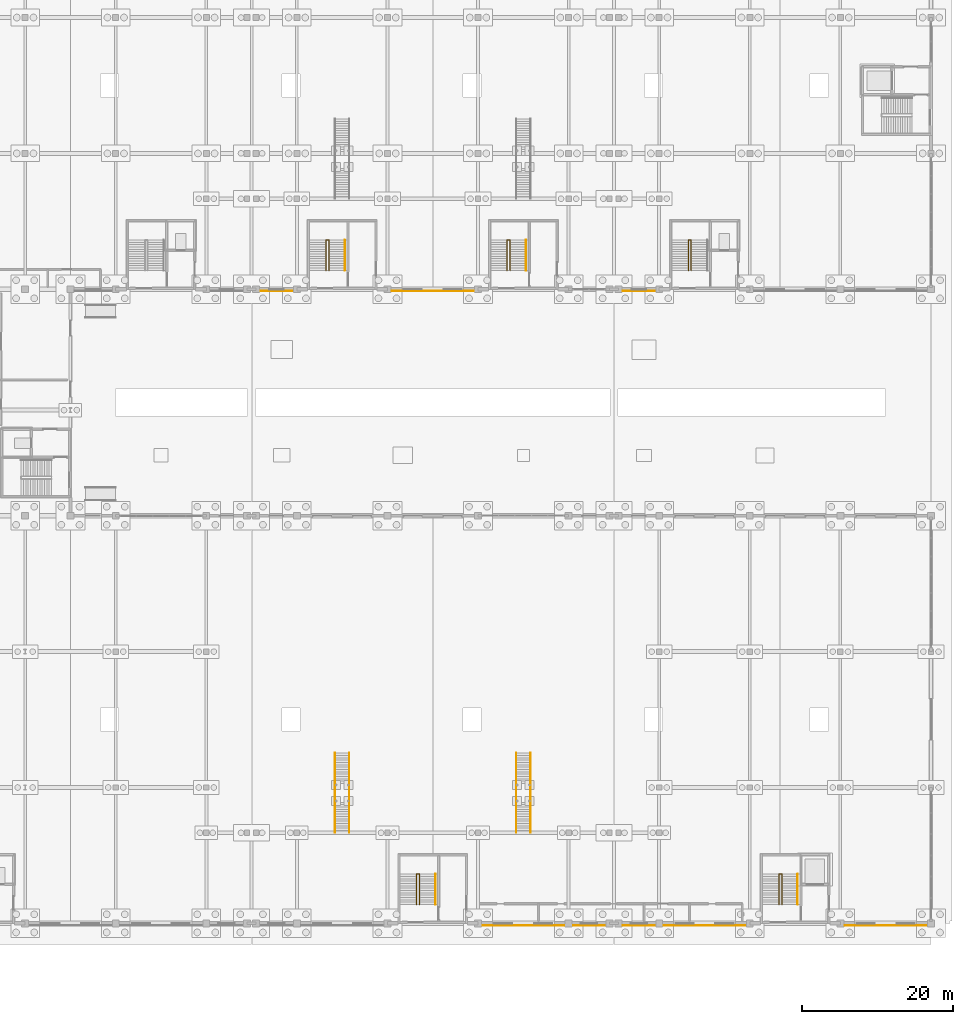
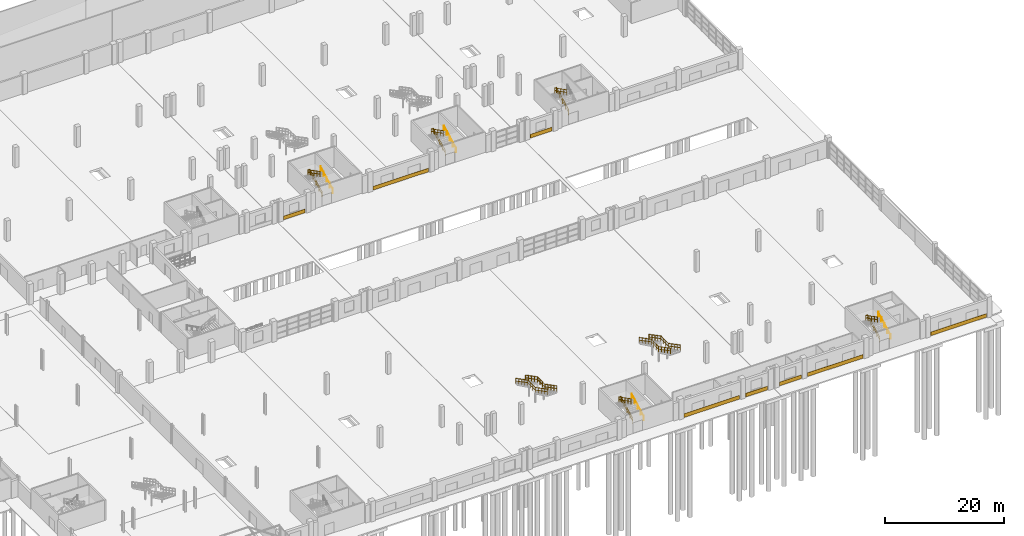
# One storey, part 74 of 77: 13 railings, 8 coverings.
"""IFC4 building model written with IfcOpenShell, lengths in metres."""

from ifc_helpers import new_model, si_unit, direction, frame, origin, origin_2d, place, context, subcontext, project, spatial, rectangle, circle, extrude, material, layer, layer_set, type_object, element, save


model = new_model("IFC4")

# Units and contexts
model_context = context("Model", 3, precision=1e-05, world=origin(), true_north=direction((0.0, 1.0)))
body_context = subcontext(model_context, "Body", "Model", "MODEL_VIEW")
ifc_project = project(units=[si_unit("LENGTHUNIT", "METRE"), si_unit("AREAUNIT", "SQUARE_METRE"), si_unit("VOLUMEUNIT", "CUBIC_METRE"), si_unit("PLANEANGLEUNIT", "RADIAN"), si_unit("MASSUNIT", "GRAM", prefix="KILO")], contexts=[model_context])

# Site, building, storey
site_placement = place(None, origin())
site = spatial("IfcSite", under=ifc_project, at=site_placement, CompositionType="ELEMENT")
building_placement = place(site_placement, origin())
building = spatial("IfcBuilding", under=site, at=building_placement, Name="Zilviju Railside Exhibition Hall", CompositionType="ELEMENT")
storey_placement = place(building_placement, origin())
storey = spatial("IfcBuildingStorey", under=building, at=storey_placement, Name="L01", CompositionType="ELEMENT", Elevation=0.0)

# Coverings
ifc_material_1 = material(Name="Rusticated Baltic granite plinth ashlar cladding", Category="masonry")
ifc_layer = layer(ifc_material_1, 0.050048828125)
ifc_layer_set = layer_set([ifc_layer], Name="Rusticated Baltic granite plinth ashlar cladding")
covering_type = type_object("IfcCoveringType", Name="COV-CLAD-GRANITE", PredefinedType="CLADDING", material=ifc_layer_set)
covering_1_placement = place(storey_placement, frame((162.0, -0.260009765625, 0.074951171875), z_axis=(0.0, 0.0, 1.0), x_axis=(-1.0, 0.0, 0.0)))
element("IfcCovering", 1, at=covering_1_placement, inside=storey, type_object=covering_type, Name="Jugendstils Facade Cladding Band L01 007", PredefinedType="CLADDING", context=body_context, shape_type="SweptSolid", body=[
    extrude(rectangle(XDim=10.800048828125, YDim=0.050048828125, at=origin_2d()), origin(), (0.0, 0.0, 1.0), 0.75),
])
for number, where, z_axis, x_axis, name in (
    (2, (170.699951171875, -0.260009765625, 0.074951171875), (0.0, 0.0, 1.0), (-1.0, 0.0, 0.0), "Jugendstils Facade Cladding Band L01 008"),
    (3, (177.300048828125, -0.260009765625, 0.074951171875), (0.0, 0.0, 1.0), (-1.0, 0.0, 0.0), "Jugendstils Facade Cladding Band L01 009"),
):
    element("IfcCovering", number, at=place(storey_placement, frame(where, z_axis=z_axis, x_axis=x_axis)), inside=storey, type_object=covering_type, Name=name, PredefinedType="CLADDING", context=body_context, shape_type="SweptSolid", body=[
        extrude(rectangle(XDim=4.199951171875, YDim=0.050048828125, at=origin_2d()), origin(), (0.0, 0.0, 1.0), 0.75),
    ])
for number, where, z_axis, x_axis, name in (
    (4, (186.0, -0.260009765625, 0.074951171875), (0.0, 0.0, 1.0), (-1.0, 0.0, 0.0), "Jugendstils Facade Cladding Band L01 010"),
    (5, (210.0, -0.260009765625, 0.074951171875), (0.0, 0.0, 1.0), (-1.0, 0.0, 0.0), "Jugendstils Facade Cladding Band L01 011"),
):
    element("IfcCovering", number, at=place(storey_placement, frame(where, z_axis=z_axis, x_axis=x_axis)), inside=storey, type_object=covering_type, Name=name, PredefinedType="CLADDING", context=body_context, shape_type="SweptSolid", body=[
        extrude(rectangle(XDim=10.800048828125, YDim=0.050048828125, at=origin_2d()), origin(), (0.0, 0.0, 1.0), 0.75),
    ])
covering_2_placement = place(storey_placement, frame((129.300048828125, 83.7548828125, 0.074951171875), z_axis=(0.0, 0.0, 1.0), x_axis=(-1.0, 0.0, 0.0)))
element("IfcCovering", 6, at=covering_2_placement, inside=storey, type_object=covering_type, Name="Jugendstils Facade Cladding Band L01 014", PredefinedType="CLADDING", context=body_context, shape_type="SweptSolid", body=[
    extrude(rectangle(XDim=4.199951171875, YDim=0.050048828125, at=origin_2d()), origin(), (0.0, 0.0, 1.0), 0.75),
])
covering_3_placement = place(storey_placement, frame((150.0, 83.7548828125, 0.074951171875), z_axis=(0.0, 0.0, 1.0), x_axis=(-1.0, 0.0, 0.0)))
element("IfcCovering", 7, at=covering_3_placement, inside=storey, type_object=covering_type, Name="Jugendstils Facade Cladding Band L01 015", PredefinedType="CLADDING", context=body_context, shape_type="SweptSolid", body=[
    extrude(rectangle(XDim=10.800048828125, YDim=0.050048828125, at=origin_2d()), origin(), (0.0, 0.0, 1.0), 0.75),
])
covering_4_placement = place(storey_placement, frame((177.300048828125, 83.7548828125, 0.074951171875), z_axis=(0.0, 0.0, 1.0), x_axis=(-1.0, 0.0, 0.0)))
element("IfcCovering", 8, at=covering_4_placement, inside=storey, type_object=covering_type, Name="Jugendstils Facade Cladding Band L01 016", PredefinedType="CLADDING", context=body_context, shape_type="SweptSolid", body=[
    extrude(rectangle(XDim=4.199951171875, YDim=0.050048828125, at=origin_2d()), origin(), (0.0, 0.0, 1.0), 0.75),
])

# Railings
ifc_material_2 = material(Name="Ornamental wrought-iron Jugendstils gallery balustrade", Category="steel")
railing_type_1 = type_object("IfcRailingType", Name="RL-BALUSTRADE-1120", PredefinedType="BALUSTRADE", material=ifc_material_2)
railing_1_placement = place(storey_placement, frame((137.06005859375, 22.56005859375, 0.0)))
element("IfcRailing", 9, at=railing_1_placement, inside=storey, type_object=railing_type_1, Name="Feature Stair ST-20 Ornamental Balustrade L", PredefinedType="BALUSTRADE", context=body_context, shape_type="SweptSolid", body=[
    extrude(circle(Radius=0.02392578125, at=origin_2d()), frame((0.0, -0.019287109375, 1.106201171875), z_axis=(0.0, -0.88681272381, 0.462128978628), x_axis=(1.0, 0.0, 0.0)), (0.0, 0.0, 1.0), 4.500732421875),
    extrude(circle(Radius=0.02392578125, at=origin_2d()), frame((0.0, -0.019287109375, 0.570068359375), z_axis=(0.0, -0.88681272381, 0.462128978628), x_axis=(1.0, 0.0, 0.0)), (0.0, 0.0, 1.0), 4.500732421875),
    extrude(circle(Radius=0.02392578125, at=origin_2d()), frame((0.0, -4.0517578125, 3.1962890625), z_axis=(0.0, -1.0, 0.0), x_axis=(1.0, 0.0, 0.0)), (0.0, 0.0, 1.0), 2.456298828125),
    extrude(circle(Radius=0.02392578125, at=origin_2d()), frame((0.0, -4.0517578125, 2.66015625), z_axis=(0.0, -1.0, 0.0), x_axis=(1.0, 0.0, 0.0)), (0.0, 0.0, 1.0), 2.456298828125),
    extrude(circle(Radius=0.02392578125, at=origin_2d()), frame((0.0, -6.54931640625, 3.206298828125), z_axis=(0.0, -0.886834740388, 0.462086726969), x_axis=(1.0, 0.0, 0.0)), (0.0, 0.0, 1.0), 4.500732421875),
    extrude(circle(Radius=0.02392578125, at=origin_2d()), frame((0.0, -6.54931640625, 2.670166015625), z_axis=(0.0, -0.886834740388, 0.462086726969), x_axis=(1.0, 0.0, 0.0)), (0.0, 0.0, 1.0), 4.500732421875),
    extrude(circle(Radius=0.02099609375, at=origin_2d()), origin(), (0.0, 0.0, 1.0), 1.1201171875),
    extrude(circle(Radius=0.02099609375, at=origin_2d()), frame((0.0, -1.007568359375, 0.52490234375)), (0.0, 0.0, 1.0), 1.1201171875),
    extrude(circle(Radius=0.02099609375, at=origin_2d()), frame((0.0, -2.01513671875, 1.050048828125)), (0.0, 0.0, 1.0), 1.1201171875),
    extrude(circle(Radius=0.02099609375, at=origin_2d()), frame((0.0, -3.0224609375, 1.5751953125)), (0.0, 0.0, 1.0), 1.1201171875),
    extrude(circle(Radius=0.02099609375, at=origin_2d()), frame((0.0, -4.030029296875, 2.10009765625)), (0.0, 0.0, 1.0), 1.1201171875),
    extrude(circle(Radius=0.02099609375, at=origin_2d()), frame((0.0, -4.86328125, 2.10009765625)), (0.0, 0.0, 1.0), 1.1201171875),
    extrude(circle(Radius=0.02099609375, at=origin_2d()), frame((0.0, -5.69677734375, 2.10009765625)), (0.0, 0.0, 1.0), 1.1201171875),
    extrude(circle(Radius=0.02099609375, at=origin_2d()), frame((0.0, -6.530029296875, 2.10009765625)), (0.0, 0.0, 1.0), 1.1201171875),
    extrude(circle(Radius=0.02099609375, at=origin_2d()), frame((0.0, -7.53759765625, 2.625)), (0.0, 0.0, 1.0), 1.1201171875),
    extrude(circle(Radius=0.02099609375, at=origin_2d()), frame((0.0, -8.544921875, 3.14990234375)), (0.0, 0.0, 1.0), 1.1201171875),
    extrude(circle(Radius=0.02099609375, at=origin_2d()), frame((0.0, -9.552490234375, 3.675048828125)), (0.0, 0.0, 1.0), 1.1201171875),
    extrude(circle(Radius=0.02099609375, at=origin_2d()), frame((0.0, -10.56005859375, 4.199951171875)), (0.0, 0.0, 1.0), 1.1201171875),
])
railing_2_placement = place(storey_placement, frame((138.93994140625, 22.56005859375, 0.0)))
element("IfcRailing", 10, at=railing_2_placement, inside=storey, type_object=railing_type_1, Name="Feature Stair ST-20 Ornamental Balustrade R", PredefinedType="BALUSTRADE", context=body_context, shape_type="SweptSolid", body=[
    extrude(circle(Radius=0.02392578125, at=origin_2d()), frame((0.0, -0.019287109375, 1.106201171875), z_axis=(0.0, -0.88681272381, 0.462128978628), x_axis=(1.0, 0.0, 0.0)), (0.0, 0.0, 1.0), 4.500732421875),
    extrude(circle(Radius=0.02392578125, at=origin_2d()), frame((0.0, -0.019287109375, 0.570068359375), z_axis=(0.0, -0.88681272381, 0.462128978628), x_axis=(1.0, 0.0, 0.0)), (0.0, 0.0, 1.0), 4.500732421875),
    extrude(circle(Radius=0.02392578125, at=origin_2d()), frame((0.0, -4.0517578125, 3.1962890625), z_axis=(0.0, -1.0, 0.0), x_axis=(1.0, 0.0, 0.0)), (0.0, 0.0, 1.0), 2.456298828125),
    extrude(circle(Radius=0.02392578125, at=origin_2d()), frame((0.0, -4.0517578125, 2.66015625), z_axis=(0.0, -1.0, 0.0), x_axis=(1.0, 0.0, 0.0)), (0.0, 0.0, 1.0), 2.456298828125),
    extrude(circle(Radius=0.02392578125, at=origin_2d()), frame((0.0, -6.54931640625, 3.206298828125), z_axis=(0.0, -0.886834740388, 0.462086726969), x_axis=(1.0, 0.0, 0.0)), (0.0, 0.0, 1.0), 4.500732421875),
    extrude(circle(Radius=0.02392578125, at=origin_2d()), frame((0.0, -6.54931640625, 2.670166015625), z_axis=(0.0, -0.886834740388, 0.462086726969), x_axis=(1.0, 0.0, 0.0)), (0.0, 0.0, 1.0), 4.500732421875),
    extrude(circle(Radius=0.02099609375, at=origin_2d()), origin(), (0.0, 0.0, 1.0), 1.1201171875),
    extrude(circle(Radius=0.02099609375, at=origin_2d()), frame((0.0, -1.007568359375, 0.52490234375)), (0.0, 0.0, 1.0), 1.1201171875),
    extrude(circle(Radius=0.02099609375, at=origin_2d()), frame((0.0, -2.01513671875, 1.050048828125)), (0.0, 0.0, 1.0), 1.1201171875),
    extrude(circle(Radius=0.02099609375, at=origin_2d()), frame((0.0, -3.0224609375, 1.5751953125)), (0.0, 0.0, 1.0), 1.1201171875),
    extrude(circle(Radius=0.02099609375, at=origin_2d()), frame((0.0, -4.030029296875, 2.10009765625)), (0.0, 0.0, 1.0), 1.1201171875),
    extrude(circle(Radius=0.02099609375, at=origin_2d()), frame((0.0, -4.86328125, 2.10009765625)), (0.0, 0.0, 1.0), 1.1201171875),
    extrude(circle(Radius=0.02099609375, at=origin_2d()), frame((0.0, -5.69677734375, 2.10009765625)), (0.0, 0.0, 1.0), 1.1201171875),
    extrude(circle(Radius=0.02099609375, at=origin_2d()), frame((0.0, -6.530029296875, 2.10009765625)), (0.0, 0.0, 1.0), 1.1201171875),
    extrude(circle(Radius=0.02099609375, at=origin_2d()), frame((0.0, -7.53759765625, 2.625)), (0.0, 0.0, 1.0), 1.1201171875),
    extrude(circle(Radius=0.02099609375, at=origin_2d()), frame((0.0, -8.544921875, 3.14990234375)), (0.0, 0.0, 1.0), 1.1201171875),
    extrude(circle(Radius=0.02099609375, at=origin_2d()), frame((0.0, -9.552490234375, 3.675048828125)), (0.0, 0.0, 1.0), 1.1201171875),
    extrude(circle(Radius=0.02099609375, at=origin_2d()), frame((0.0, -10.56005859375, 4.199951171875)), (0.0, 0.0, 1.0), 1.1201171875),
])
railing_3_placement = place(storey_placement, frame((161.06005859375, 22.56005859375, 0.0)))
element("IfcRailing", 11, at=railing_3_placement, inside=storey, type_object=railing_type_1, Name="Feature Stair ST-21 Ornamental Balustrade L", PredefinedType="BALUSTRADE", context=body_context, shape_type="SweptSolid", body=[
    extrude(circle(Radius=0.02392578125, at=origin_2d()), frame((0.0, -0.019287109375, 1.106201171875), z_axis=(0.0, -0.88681272381, 0.462128978628), x_axis=(1.0, 0.0, 0.0)), (0.0, 0.0, 1.0), 4.500732421875),
    extrude(circle(Radius=0.02392578125, at=origin_2d()), frame((0.0, -0.019287109375, 0.570068359375), z_axis=(0.0, -0.88681272381, 0.462128978628), x_axis=(1.0, 0.0, 0.0)), (0.0, 0.0, 1.0), 4.500732421875),
    extrude(circle(Radius=0.02392578125, at=origin_2d()), frame((0.0, -4.0517578125, 3.1962890625), z_axis=(0.0, -1.0, 0.0), x_axis=(1.0, 0.0, 0.0)), (0.0, 0.0, 1.0), 2.456298828125),
    extrude(circle(Radius=0.02392578125, at=origin_2d()), frame((0.0, -4.0517578125, 2.66015625), z_axis=(0.0, -1.0, 0.0), x_axis=(1.0, 0.0, 0.0)), (0.0, 0.0, 1.0), 2.456298828125),
    extrude(circle(Radius=0.02392578125, at=origin_2d()), frame((0.0, -6.54931640625, 3.206298828125), z_axis=(0.0, -0.886834740388, 0.462086726969), x_axis=(1.0, 0.0, 0.0)), (0.0, 0.0, 1.0), 4.500732421875),
    extrude(circle(Radius=0.02392578125, at=origin_2d()), frame((0.0, -6.54931640625, 2.670166015625), z_axis=(0.0, -0.886834740388, 0.462086726969), x_axis=(1.0, 0.0, 0.0)), (0.0, 0.0, 1.0), 4.500732421875),
    extrude(circle(Radius=0.02099609375, at=origin_2d()), origin(), (0.0, 0.0, 1.0), 1.1201171875),
    extrude(circle(Radius=0.02099609375, at=origin_2d()), frame((0.0, -1.007568359375, 0.52490234375)), (0.0, 0.0, 1.0), 1.1201171875),
    extrude(circle(Radius=0.02099609375, at=origin_2d()), frame((0.0, -2.01513671875, 1.050048828125)), (0.0, 0.0, 1.0), 1.1201171875),
    extrude(circle(Radius=0.02099609375, at=origin_2d()), frame((0.0, -3.0224609375, 1.5751953125)), (0.0, 0.0, 1.0), 1.1201171875),
    extrude(circle(Radius=0.02099609375, at=origin_2d()), frame((0.0, -4.030029296875, 2.10009765625)), (0.0, 0.0, 1.0), 1.1201171875),
    extrude(circle(Radius=0.02099609375, at=origin_2d()), frame((0.0, -4.86328125, 2.10009765625)), (0.0, 0.0, 1.0), 1.1201171875),
    extrude(circle(Radius=0.02099609375, at=origin_2d()), frame((0.0, -5.69677734375, 2.10009765625)), (0.0, 0.0, 1.0), 1.1201171875),
    extrude(circle(Radius=0.02099609375, at=origin_2d()), frame((0.0, -6.530029296875, 2.10009765625)), (0.0, 0.0, 1.0), 1.1201171875),
    extrude(circle(Radius=0.02099609375, at=origin_2d()), frame((0.0, -7.53759765625, 2.625)), (0.0, 0.0, 1.0), 1.1201171875),
    extrude(circle(Radius=0.02099609375, at=origin_2d()), frame((0.0, -8.544921875, 3.14990234375)), (0.0, 0.0, 1.0), 1.1201171875),
    extrude(circle(Radius=0.02099609375, at=origin_2d()), frame((0.0, -9.552490234375, 3.675048828125)), (0.0, 0.0, 1.0), 1.1201171875),
    extrude(circle(Radius=0.02099609375, at=origin_2d()), frame((0.0, -10.56005859375, 4.199951171875)), (0.0, 0.0, 1.0), 1.1201171875),
])
railing_4_placement = place(storey_placement, frame((162.93994140625, 22.56005859375, 0.0)))
element("IfcRailing", 12, at=railing_4_placement, inside=storey, type_object=railing_type_1, Name="Feature Stair ST-21 Ornamental Balustrade R", PredefinedType="BALUSTRADE", context=body_context, shape_type="SweptSolid", body=[
    extrude(circle(Radius=0.02392578125, at=origin_2d()), frame((0.0, -0.019287109375, 1.106201171875), z_axis=(0.0, -0.88681272381, 0.462128978628), x_axis=(1.0, 0.0, 0.0)), (0.0, 0.0, 1.0), 4.500732421875),
    extrude(circle(Radius=0.02392578125, at=origin_2d()), frame((0.0, -0.019287109375, 0.570068359375), z_axis=(0.0, -0.88681272381, 0.462128978628), x_axis=(1.0, 0.0, 0.0)), (0.0, 0.0, 1.0), 4.500732421875),
    extrude(circle(Radius=0.02392578125, at=origin_2d()), frame((0.0, -4.0517578125, 3.1962890625), z_axis=(0.0, -1.0, 0.0), x_axis=(1.0, 0.0, 0.0)), (0.0, 0.0, 1.0), 2.456298828125),
    extrude(circle(Radius=0.02392578125, at=origin_2d()), frame((0.0, -4.0517578125, 2.66015625), z_axis=(0.0, -1.0, 0.0), x_axis=(1.0, 0.0, 0.0)), (0.0, 0.0, 1.0), 2.456298828125),
    extrude(circle(Radius=0.02392578125, at=origin_2d()), frame((0.0, -6.54931640625, 3.206298828125), z_axis=(0.0, -0.886834740388, 0.462086726969), x_axis=(1.0, 0.0, 0.0)), (0.0, 0.0, 1.0), 4.500732421875),
    extrude(circle(Radius=0.02392578125, at=origin_2d()), frame((0.0, -6.54931640625, 2.670166015625), z_axis=(0.0, -0.886834740388, 0.462086726969), x_axis=(1.0, 0.0, 0.0)), (0.0, 0.0, 1.0), 4.500732421875),
    extrude(circle(Radius=0.02099609375, at=origin_2d()), origin(), (0.0, 0.0, 1.0), 1.1201171875),
    extrude(circle(Radius=0.02099609375, at=origin_2d()), frame((0.0, -1.007568359375, 0.52490234375)), (0.0, 0.0, 1.0), 1.1201171875),
    extrude(circle(Radius=0.02099609375, at=origin_2d()), frame((0.0, -2.01513671875, 1.050048828125)), (0.0, 0.0, 1.0), 1.1201171875),
    extrude(circle(Radius=0.02099609375, at=origin_2d()), frame((0.0, -3.0224609375, 1.5751953125)), (0.0, 0.0, 1.0), 1.1201171875),
    extrude(circle(Radius=0.02099609375, at=origin_2d()), frame((0.0, -4.030029296875, 2.10009765625)), (0.0, 0.0, 1.0), 1.1201171875),
    extrude(circle(Radius=0.02099609375, at=origin_2d()), frame((0.0, -4.86328125, 2.10009765625)), (0.0, 0.0, 1.0), 1.1201171875),
    extrude(circle(Radius=0.02099609375, at=origin_2d()), frame((0.0, -5.69677734375, 2.10009765625)), (0.0, 0.0, 1.0), 1.1201171875),
    extrude(circle(Radius=0.02099609375, at=origin_2d()), frame((0.0, -6.530029296875, 2.10009765625)), (0.0, 0.0, 1.0), 1.1201171875),
    extrude(circle(Radius=0.02099609375, at=origin_2d()), frame((0.0, -7.53759765625, 2.625)), (0.0, 0.0, 1.0), 1.1201171875),
    extrude(circle(Radius=0.02099609375, at=origin_2d()), frame((0.0, -8.544921875, 3.14990234375)), (0.0, 0.0, 1.0), 1.1201171875),
    extrude(circle(Radius=0.02099609375, at=origin_2d()), frame((0.0, -9.552490234375, 3.675048828125)), (0.0, 0.0, 1.0), 1.1201171875),
    extrude(circle(Radius=0.02099609375, at=origin_2d()), frame((0.0, -10.56005859375, 4.199951171875)), (0.0, 0.0, 1.0), 1.1201171875),
])
ifc_material_3 = material(Name="Brushed bronze tubular stair handrail", Category="steel")
railing_type_2 = type_object("IfcRailingType", Name="RL-HANDRAIL-920", PredefinedType="HANDRAIL", material=ifc_material_3)
for number, where, name in (
    (13, (150.35009765625, 2.5, 0.0), "Core C02 South Hall Mid Stair Wall Handrail L01"),
    (14, (198.340087890625, 2.5, 0.0), "Core C03 South Hall East Stair Wall Handrail L01"),
    (15, (138.35009765625, 86.5, 0.0), "Core C05 North Hall Court MidW Stair Wall Handrail L01"),
    (16, (162.340087890625, 86.5, 0.0), "Core C06 North Hall Court MidE Stair Wall Handrail L01"),
):
    element("IfcRailing", number, at=place(storey_placement, frame(where)), inside=storey, type_object=railing_type_2, Name=name, PredefinedType="HANDRAIL", context=body_context, shape_type="SweptSolid", body=[
        extrude(circle(Radius=0.02392578125, at=origin_2d()), frame((0.0, 0.019287109375, 0.906005859375), z_axis=(0.0, 0.88681272381, 0.462128978628), x_axis=(-1.0, 0.0, 0.0)), (0.0, 0.0, 1.0), 4.500732421875),
        extrude(circle(Radius=0.02099609375, at=origin_2d()), origin(), (0.0, 0.0, 1.0), 0.919921875),
        extrude(circle(Radius=0.02099609375, at=origin_2d()), frame((0.0, 1.007568359375, 0.52490234375)), (0.0, 0.0, 1.0), 0.919921875),
        extrude(circle(Radius=0.02099609375, at=origin_2d()), frame((0.0, 2.01513671875, 1.050048828125)), (0.0, 0.0, 1.0), 0.919921875),
        extrude(circle(Radius=0.02099609375, at=origin_2d()), frame((0.0, 3.0224609375, 1.5751953125)), (0.0, 0.0, 1.0), 0.919921875),
        extrude(circle(Radius=0.02099609375, at=origin_2d()), frame((0.0, 4.030029296875, 2.10009765625)), (0.0, 0.0, 1.0), 0.919921875),
    ])
ifc_material_4 = material(Name="Wrought-iron and laminated-glass atrium guardrail", Category="glass")
railing_type_3 = type_object("IfcRailingType", Name="RL-INT-GUARD-1120", PredefinedType="GUARDRAIL", material=ifc_material_4)
railing_5_placement = place(storey_placement, frame((148.239990234375, 2.5, 0.0)))
element("IfcRailing", 17, at=railing_5_placement, inside=storey, type_object=railing_type_3, Name="Core C02 South Hall Mid Stair Well Guardrail L01", PredefinedType="GUARDRAIL", context=body_context, shape_type="SweptSolid", body=[
    extrude(circle(Radius=0.02392578125, at=origin_2d()), frame((0.0, 0.019287109375, 1.106201171875), z_axis=(0.0, 0.88681272381, 0.462128978628), x_axis=(-1.0, 0.0, 0.0)), (0.0, 0.0, 1.0), 4.500732421875),
    extrude(circle(Radius=0.02392578125, at=origin_2d()), frame((0.0, 0.019287109375, 0.570068359375), z_axis=(0.0, 0.88681272381, 0.462128978628), x_axis=(-1.0, 0.0, 0.0)), (0.0, 0.0, 1.0), 4.500732421875),
    extrude(circle(Radius=0.02392578125, at=origin_2d()), frame((-0.021728515625, 4.030029296875, 3.1962890625), z_axis=(-1.0, 0.0, 0.0), x_axis=(0.0, -1.0, 0.0)), (0.0, 0.0, 1.0), 0.336181640625),
    extrude(circle(Radius=0.02392578125, at=origin_2d()), frame((-0.021728515625, 4.030029296875, 2.66015625), z_axis=(-1.0, 0.0, 0.0), x_axis=(0.0, -1.0, 0.0)), (0.0, 0.0, 1.0), 0.336181640625),
    extrude(circle(Radius=0.02392578125, at=origin_2d()), frame((-0.3798828125, 4.0107421875, 3.206298828125), z_axis=(0.0, -0.886834740388, 0.462086726969), x_axis=(1.0, 0.0, 0.0)), (0.0, 0.0, 1.0), 4.500732421875),
    extrude(circle(Radius=0.02392578125, at=origin_2d()), frame((-0.3798828125, 4.0107421875, 2.670166015625), z_axis=(0.0, -0.886834740388, 0.462086726969), x_axis=(1.0, 0.0, 0.0)), (0.0, 0.0, 1.0), 4.500732421875),
    extrude(circle(Radius=0.02099609375, at=origin_2d()), origin(), (0.0, 0.0, 1.0), 1.1201171875),
    extrude(circle(Radius=0.02099609375, at=origin_2d()), frame((0.0, 1.007568359375, 0.52490234375)), (0.0, 0.0, 1.0), 1.1201171875),
    extrude(circle(Radius=0.02099609375, at=origin_2d()), frame((0.0, 2.01513671875, 1.050048828125)), (0.0, 0.0, 1.0), 1.1201171875),
    extrude(circle(Radius=0.02099609375, at=origin_2d()), frame((0.0, 3.0224609375, 1.5751953125)), (0.0, 0.0, 1.0), 1.1201171875),
    extrude(circle(Radius=0.02099609375, at=origin_2d()), frame((0.0, 4.030029296875, 2.10009765625)), (0.0, 0.0, 1.0), 1.1201171875),
    extrude(circle(Radius=0.02099609375, at=origin_2d()), frame((-0.3798828125, 4.030029296875, 2.10009765625)), (0.0, 0.0, 1.0), 1.1201171875),
    extrude(circle(Radius=0.02099609375, at=origin_2d()), frame((-0.3798828125, 3.0224609375, 2.625)), (0.0, 0.0, 1.0), 1.1201171875),
    extrude(circle(Radius=0.02099609375, at=origin_2d()), frame((-0.3798828125, 2.01513671875, 3.14990234375)), (0.0, 0.0, 1.0), 1.1201171875),
    extrude(circle(Radius=0.02099609375, at=origin_2d()), frame((-0.3798828125, 1.007568359375, 3.675048828125)), (0.0, 0.0, 1.0), 1.1201171875),
    extrude(circle(Radius=0.02099609375, at=origin_2d()), frame((-0.3798828125, 0.0, 4.199951171875)), (0.0, 0.0, 1.0), 1.1201171875),
])
railing_6_placement = place(storey_placement, frame((196.25, 2.5, 0.0)))
element("IfcRailing", 18, at=railing_6_placement, inside=storey, type_object=railing_type_3, Name="Core C03 South Hall East Stair Well Guardrail L01", PredefinedType="GUARDRAIL", context=body_context, shape_type="SweptSolid", body=[
    extrude(circle(Radius=0.02392578125, at=origin_2d()), frame((0.0, 0.019287109375, 1.106201171875), z_axis=(0.0, 0.88681272381, 0.462128978628), x_axis=(-1.0, 0.0, 0.0)), (0.0, 0.0, 1.0), 4.500732421875),
    extrude(circle(Radius=0.02392578125, at=origin_2d()), frame((0.0, 0.019287109375, 0.570068359375), z_axis=(0.0, 0.88681272381, 0.462128978628), x_axis=(-1.0, 0.0, 0.0)), (0.0, 0.0, 1.0), 4.500732421875),
    extrude(circle(Radius=0.02392578125, at=origin_2d()), frame((-0.021728515625, 4.030029296875, 3.1962890625), z_axis=(-1.0, 0.0, 0.0), x_axis=(0.0, -1.0, 0.0)), (0.0, 0.0, 1.0), 0.356201171875),
    extrude(circle(Radius=0.02392578125, at=origin_2d()), frame((-0.021728515625, 4.030029296875, 2.66015625), z_axis=(-1.0, 0.0, 0.0), x_axis=(0.0, -1.0, 0.0)), (0.0, 0.0, 1.0), 0.356201171875),
    extrude(circle(Radius=0.02392578125, at=origin_2d()), frame((-0.39990234375, 4.0107421875, 3.206298828125), z_axis=(0.0, -0.886834740388, 0.462086726969), x_axis=(1.0, 0.0, 0.0)), (0.0, 0.0, 1.0), 4.500732421875),
    extrude(circle(Radius=0.02392578125, at=origin_2d()), frame((-0.39990234375, 4.0107421875, 2.670166015625), z_axis=(0.0, -0.886834740388, 0.462086726969), x_axis=(1.0, 0.0, 0.0)), (0.0, 0.0, 1.0), 4.500732421875),
    extrude(circle(Radius=0.02099609375, at=origin_2d()), origin(), (0.0, 0.0, 1.0), 1.1201171875),
    extrude(circle(Radius=0.02099609375, at=origin_2d()), frame((0.0, 1.007568359375, 0.52490234375)), (0.0, 0.0, 1.0), 1.1201171875),
    extrude(circle(Radius=0.02099609375, at=origin_2d()), frame((0.0, 2.01513671875, 1.050048828125)), (0.0, 0.0, 1.0), 1.1201171875),
    extrude(circle(Radius=0.02099609375, at=origin_2d()), frame((0.0, 3.0224609375, 1.5751953125)), (0.0, 0.0, 1.0), 1.1201171875),
    extrude(circle(Radius=0.02099609375, at=origin_2d()), frame((0.0, 4.030029296875, 2.10009765625)), (0.0, 0.0, 1.0), 1.1201171875),
    extrude(circle(Radius=0.02099609375, at=origin_2d()), frame((-0.39990234375, 4.030029296875, 2.10009765625)), (0.0, 0.0, 1.0), 1.1201171875),
    extrude(circle(Radius=0.02099609375, at=origin_2d()), frame((-0.39990234375, 3.0224609375, 2.625)), (0.0, 0.0, 1.0), 1.1201171875),
    extrude(circle(Radius=0.02099609375, at=origin_2d()), frame((-0.39990234375, 2.01513671875, 3.14990234375)), (0.0, 0.0, 1.0), 1.1201171875),
    extrude(circle(Radius=0.02099609375, at=origin_2d()), frame((-0.39990234375, 1.007568359375, 3.675048828125)), (0.0, 0.0, 1.0), 1.1201171875),
    extrude(circle(Radius=0.02099609375, at=origin_2d()), frame((-0.39990234375, 0.0, 4.199951171875)), (0.0, 0.0, 1.0), 1.1201171875),
])
railing_7_placement = place(storey_placement, frame((136.239990234375, 86.5, 0.0)))
element("IfcRailing", 19, at=railing_7_placement, inside=storey, type_object=railing_type_3, Name="Core C05 North Hall Court MidW Stair Well Guardrail L01", PredefinedType="GUARDRAIL", context=body_context, shape_type="SweptSolid", body=[
    extrude(circle(Radius=0.02392578125, at=origin_2d()), frame((0.0, 0.019287109375, 1.106201171875), z_axis=(0.0, 0.88681272381, 0.462128978628), x_axis=(-1.0, 0.0, 0.0)), (0.0, 0.0, 1.0), 4.500732421875),
    extrude(circle(Radius=0.02392578125, at=origin_2d()), frame((0.0, 0.019287109375, 0.570068359375), z_axis=(0.0, 0.88681272381, 0.462128978628), x_axis=(-1.0, 0.0, 0.0)), (0.0, 0.0, 1.0), 4.500732421875),
    extrude(circle(Radius=0.02392578125, at=origin_2d()), frame((-0.021728515625, 4.030029296875, 3.1962890625), z_axis=(-1.0, 0.0, 0.0), x_axis=(0.0, -1.0, 0.0)), (0.0, 0.0, 1.0), 0.336181640625),
    extrude(circle(Radius=0.02392578125, at=origin_2d()), frame((-0.021728515625, 4.030029296875, 2.66015625), z_axis=(-1.0, 0.0, 0.0), x_axis=(0.0, -1.0, 0.0)), (0.0, 0.0, 1.0), 0.336181640625),
    extrude(circle(Radius=0.02392578125, at=origin_2d()), frame((-0.3798828125, 4.0107421875, 3.206298828125), z_axis=(0.0, -0.886834740388, 0.462086726969), x_axis=(1.0, 0.0, 0.0)), (0.0, 0.0, 1.0), 4.500732421875),
    extrude(circle(Radius=0.02392578125, at=origin_2d()), frame((-0.3798828125, 4.0107421875, 2.670166015625), z_axis=(0.0, -0.886834740388, 0.462086726969), x_axis=(1.0, 0.0, 0.0)), (0.0, 0.0, 1.0), 4.500732421875),
    extrude(circle(Radius=0.02099609375, at=origin_2d()), origin(), (0.0, 0.0, 1.0), 1.1201171875),
    extrude(circle(Radius=0.02099609375, at=origin_2d()), frame((0.0, 1.007568359375, 0.52490234375)), (0.0, 0.0, 1.0), 1.1201171875),
    extrude(circle(Radius=0.02099609375, at=origin_2d()), frame((0.0, 2.01513671875, 1.050048828125)), (0.0, 0.0, 1.0), 1.1201171875),
    extrude(circle(Radius=0.02099609375, at=origin_2d()), frame((0.0, 3.0224609375, 1.5751953125)), (0.0, 0.0, 1.0), 1.1201171875),
    extrude(circle(Radius=0.02099609375, at=origin_2d()), frame((0.0, 4.030029296875, 2.10009765625)), (0.0, 0.0, 1.0), 1.1201171875),
    extrude(circle(Radius=0.02099609375, at=origin_2d()), frame((-0.3798828125, 4.030029296875, 2.10009765625)), (0.0, 0.0, 1.0), 1.1201171875),
    extrude(circle(Radius=0.02099609375, at=origin_2d()), frame((-0.3798828125, 3.0224609375, 2.625)), (0.0, 0.0, 1.0), 1.1201171875),
    extrude(circle(Radius=0.02099609375, at=origin_2d()), frame((-0.3798828125, 2.01513671875, 3.14990234375)), (0.0, 0.0, 1.0), 1.1201171875),
    extrude(circle(Radius=0.02099609375, at=origin_2d()), frame((-0.3798828125, 1.007568359375, 3.675048828125)), (0.0, 0.0, 1.0), 1.1201171875),
    extrude(circle(Radius=0.02099609375, at=origin_2d()), frame((-0.3798828125, 0.0, 4.199951171875)), (0.0, 0.0, 1.0), 1.1201171875),
])
railing_8_placement = place(storey_placement, frame((160.25, 86.5, 0.0)))
element("IfcRailing", 20, at=railing_8_placement, inside=storey, type_object=railing_type_3, Name="Core C06 North Hall Court MidE Stair Well Guardrail L01", PredefinedType="GUARDRAIL", context=body_context, shape_type="SweptSolid", body=[
    extrude(circle(Radius=0.02392578125, at=origin_2d()), frame((0.0, 0.019287109375, 1.106201171875), z_axis=(0.0, 0.88681272381, 0.462128978628), x_axis=(-1.0, 0.0, 0.0)), (0.0, 0.0, 1.0), 4.500732421875),
    extrude(circle(Radius=0.02392578125, at=origin_2d()), frame((0.0, 0.019287109375, 0.570068359375), z_axis=(0.0, 0.88681272381, 0.462128978628), x_axis=(-1.0, 0.0, 0.0)), (0.0, 0.0, 1.0), 4.500732421875),
    extrude(circle(Radius=0.02392578125, at=origin_2d()), frame((-0.021728515625, 4.030029296875, 3.1962890625), z_axis=(-1.0, 0.0, 0.0), x_axis=(0.0, -1.0, 0.0)), (0.0, 0.0, 1.0), 0.356201171875),
    extrude(circle(Radius=0.02392578125, at=origin_2d()), frame((-0.021728515625, 4.030029296875, 2.66015625), z_axis=(-1.0, 0.0, 0.0), x_axis=(0.0, -1.0, 0.0)), (0.0, 0.0, 1.0), 0.356201171875),
    extrude(circle(Radius=0.02392578125, at=origin_2d()), frame((-0.39990234375, 4.0107421875, 3.206298828125), z_axis=(0.0, -0.886834740388, 0.462086726969), x_axis=(1.0, 0.0, 0.0)), (0.0, 0.0, 1.0), 4.500732421875),
    extrude(circle(Radius=0.02392578125, at=origin_2d()), frame((-0.39990234375, 4.0107421875, 2.670166015625), z_axis=(0.0, -0.886834740388, 0.462086726969), x_axis=(1.0, 0.0, 0.0)), (0.0, 0.0, 1.0), 4.500732421875),
    extrude(circle(Radius=0.02099609375, at=origin_2d()), origin(), (0.0, 0.0, 1.0), 1.1201171875),
    extrude(circle(Radius=0.02099609375, at=origin_2d()), frame((0.0, 1.007568359375, 0.52490234375)), (0.0, 0.0, 1.0), 1.1201171875),
    extrude(circle(Radius=0.02099609375, at=origin_2d()), frame((0.0, 2.01513671875, 1.050048828125)), (0.0, 0.0, 1.0), 1.1201171875),
    extrude(circle(Radius=0.02099609375, at=origin_2d()), frame((0.0, 3.0224609375, 1.5751953125)), (0.0, 0.0, 1.0), 1.1201171875),
    extrude(circle(Radius=0.02099609375, at=origin_2d()), frame((0.0, 4.030029296875, 2.10009765625)), (0.0, 0.0, 1.0), 1.1201171875),
    extrude(circle(Radius=0.02099609375, at=origin_2d()), frame((-0.39990234375, 4.030029296875, 2.10009765625)), (0.0, 0.0, 1.0), 1.1201171875),
    extrude(circle(Radius=0.02099609375, at=origin_2d()), frame((-0.39990234375, 3.0224609375, 2.625)), (0.0, 0.0, 1.0), 1.1201171875),
    extrude(circle(Radius=0.02099609375, at=origin_2d()), frame((-0.39990234375, 2.01513671875, 3.14990234375)), (0.0, 0.0, 1.0), 1.1201171875),
    extrude(circle(Radius=0.02099609375, at=origin_2d()), frame((-0.39990234375, 1.007568359375, 3.675048828125)), (0.0, 0.0, 1.0), 1.1201171875),
    extrude(circle(Radius=0.02099609375, at=origin_2d()), frame((-0.39990234375, 0.0, 4.199951171875)), (0.0, 0.0, 1.0), 1.1201171875),
])
railing_9_placement = place(storey_placement, frame((184.22998046875, 86.5, 0.0)))
element("IfcRailing", 21, at=railing_9_placement, inside=storey, type_object=railing_type_3, Name="Core C07 North Hall Court East Stair Well Guardrail L01", PredefinedType="GUARDRAIL", context=body_context, shape_type="SweptSolid", body=[
    extrude(circle(Radius=0.02392578125, at=origin_2d()), frame((0.0, 0.019287109375, 1.106201171875), z_axis=(0.0, 0.88681272381, 0.462128978628), x_axis=(-1.0, 0.0, 0.0)), (0.0, 0.0, 1.0), 4.500732421875),
    extrude(circle(Radius=0.02392578125, at=origin_2d()), frame((0.0, 0.019287109375, 0.570068359375), z_axis=(0.0, 0.88681272381, 0.462128978628), x_axis=(-1.0, 0.0, 0.0)), (0.0, 0.0, 1.0), 4.500732421875),
    extrude(circle(Radius=0.02392578125, at=origin_2d()), frame((-0.021728515625, 4.030029296875, 3.1962890625), z_axis=(-1.0, 0.0, 0.0), x_axis=(0.0, -1.0, 0.0)), (0.0, 0.0, 1.0), 0.316162109375),
    extrude(circle(Radius=0.02392578125, at=origin_2d()), frame((-0.021728515625, 4.030029296875, 2.66015625), z_axis=(-1.0, 0.0, 0.0), x_axis=(0.0, -1.0, 0.0)), (0.0, 0.0, 1.0), 0.316162109375),
    extrude(circle(Radius=0.02392578125, at=origin_2d()), frame((-0.35986328125, 4.0107421875, 3.206298828125), z_axis=(0.0, -0.886834740388, 0.462086726969), x_axis=(1.0, 0.0, 0.0)), (0.0, 0.0, 1.0), 4.500732421875),
    extrude(circle(Radius=0.02392578125, at=origin_2d()), frame((-0.35986328125, 4.0107421875, 2.670166015625), z_axis=(0.0, -0.886834740388, 0.462086726969), x_axis=(1.0, 0.0, 0.0)), (0.0, 0.0, 1.0), 4.500732421875),
    extrude(circle(Radius=0.02099609375, at=origin_2d()), origin(), (0.0, 0.0, 1.0), 1.1201171875),
    extrude(circle(Radius=0.02099609375, at=origin_2d()), frame((0.0, 1.007568359375, 0.52490234375)), (0.0, 0.0, 1.0), 1.1201171875),
    extrude(circle(Radius=0.02099609375, at=origin_2d()), frame((0.0, 2.01513671875, 1.050048828125)), (0.0, 0.0, 1.0), 1.1201171875),
    extrude(circle(Radius=0.02099609375, at=origin_2d()), frame((0.0, 3.0224609375, 1.5751953125)), (0.0, 0.0, 1.0), 1.1201171875),
    extrude(circle(Radius=0.02099609375, at=origin_2d()), frame((0.0, 4.030029296875, 2.10009765625)), (0.0, 0.0, 1.0), 1.1201171875),
    extrude(circle(Radius=0.02099609375, at=origin_2d()), frame((-0.35986328125, 4.030029296875, 2.10009765625)), (0.0, 0.0, 1.0), 1.1201171875),
    extrude(circle(Radius=0.02099609375, at=origin_2d()), frame((-0.35986328125, 3.0224609375, 2.625)), (0.0, 0.0, 1.0), 1.1201171875),
    extrude(circle(Radius=0.02099609375, at=origin_2d()), frame((-0.35986328125, 2.01513671875, 3.14990234375)), (0.0, 0.0, 1.0), 1.1201171875),
    extrude(circle(Radius=0.02099609375, at=origin_2d()), frame((-0.35986328125, 1.007568359375, 3.675048828125)), (0.0, 0.0, 1.0), 1.1201171875),
    extrude(circle(Radius=0.02099609375, at=origin_2d()), frame((-0.35986328125, 0.0, 4.199951171875)), (0.0, 0.0, 1.0), 1.1201171875),
])

save(model, "model.ifc")
